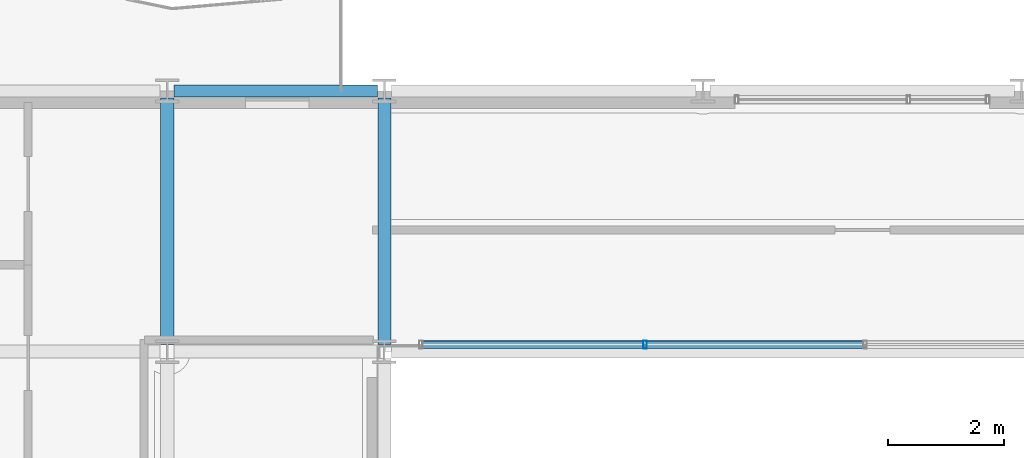
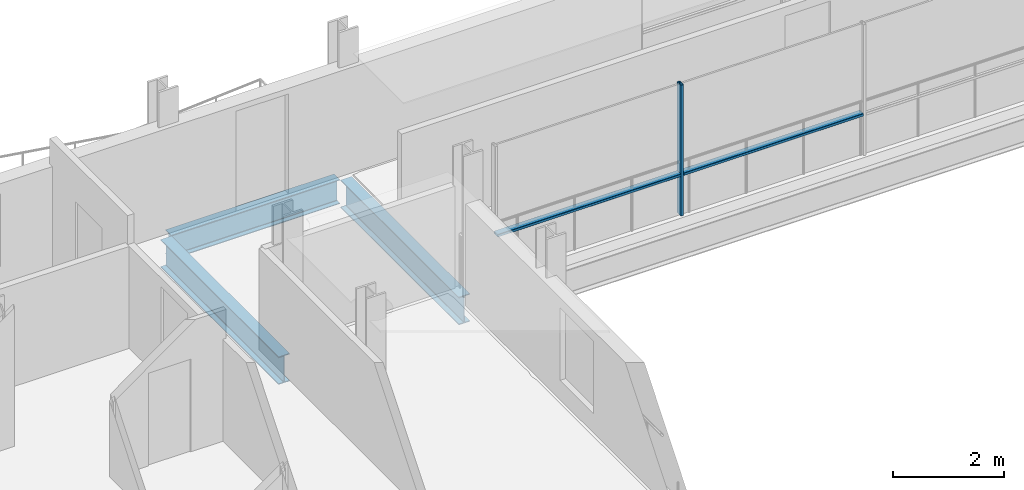
# One storey, part 11 of 38: 3 beams, 3 members, 1 element without a shape of its own.
"""IFC4 building model written with IfcOpenShell, lengths in metres."""

import ifcopenshell
import ifcopenshell.guid

model = None  # the IFC model being written
_history = None  # IfcOwnerHistory: only IFC2X3 demands one
_inside = {}  # id of a spatial element -> (the spatial element, [elements in it])
_under = {}  # id of a project, library or spatial element -> (it, [spatial elements below it])
_declared = {}  # id of a project -> (the project, [libraries it declares])
_typed = {}  # id of a type object -> (the type object, [elements of that type])
_made_of = {}  # id of a material, layer set ... -> (it, [elements and type objects made of it])


def new_model(schema):
    """Start an empty IFC model of exactly this schema.

    Asked for "IFC4X3", IfcOpenShell would pick the latest addendum, in which some entities
    have other attributes; the version numbers below select the first issue.
    IFC2X3 requires an IfcOwnerHistory on every rooted entity: one is made here for all.
    """
    global model, _history
    if schema == "IFC4X3":
        model = ifcopenshell.file(schema_version=(4, 3, 0, 0))
    else:
        model = ifcopenshell.file(schema=schema)
    _inside.clear()
    _under.clear()
    _declared.clear()
    _typed.clear()
    _made_of.clear()
    _history = None
    if model.schema == "IFC2X3":
        org = make("IfcOrganization", Name="unknown")
        user = make(
            "IfcPersonAndOrganization",
            ThePerson=make("IfcPerson", FamilyName="unknown"),
            TheOrganization=org,
        )
        app = make(
            "IfcApplication",
            ApplicationDeveloper=org,
            Version="unknown",
            ApplicationFullName="unknown",
            ApplicationIdentifier="unknown",
        )
        _history = make(
            "IfcOwnerHistory",
            OwningUser=user,
            OwningApplication=app,
            ChangeAction="ADDED",
            CreationDate=0,
        )
    return model


def make(cls, **values):
    """One entity of the class cls with the attributes given. An attribute that is None is left unset."""
    return model.create_entity(
        cls, **{name: value for name, value in values.items() if value is not None}
    )


def rooted(cls, **values):
    """An entity with a GlobalId (a new one), such as an element, a storey or a relation."""
    return make(cls, GlobalId=ifcopenshell.guid.new(), OwnerHistory=_history, **values)


def si_unit(unit_type, name, prefix=None):
    """IfcSIUnit, for example si_unit("LENGTHUNIT", "METRE", prefix="MILLI")."""
    return make("IfcSIUnit", UnitType=unit_type, Prefix=prefix, Name=name)


def assignment(units):
    """IfcUnitAssignment: the units of a project."""
    return None if units is None else make("IfcUnitAssignment", Units=units)


def point(xyz):
    """IfcCartesianPoint."""
    return None if xyz is None else make("IfcCartesianPoint", Coordinates=xyz)


def direction(xyz):
    """IfcDirection."""
    return None if xyz is None else make("IfcDirection", DirectionRatios=xyz)


def frame(location, z_axis=None, x_axis=None):
    """IfcAxis2Placement3D, a coordinate frame: its origin and axes. An axis left out is left unset."""
    return make(
        "IfcAxis2Placement3D",
        Location=point(location),
        Axis=direction(z_axis),
        RefDirection=direction(x_axis),
    )


def frame_2d(location, x_axis=None):
    """IfcAxis2Placement2D, a coordinate frame in the plane: its origin and x axis."""
    return make(
        "IfcAxis2Placement2D", Location=point(location), RefDirection=direction(x_axis)
    )


def origin():
    """The frame at (0, 0, 0) with its axes left unset."""
    return frame((0.0, 0.0, 0.0))


def origin_2d():
    """The frame at (0, 0) in the plane with its x axis left unset."""
    return frame_2d((0.0, 0.0))


def place(relative_to, where):
    """IfcLocalPlacement: puts the frame where relative to a parent placement (None: the world)."""
    return make(
        "IfcLocalPlacement", PlacementRelTo=relative_to, RelativePlacement=where
    )


def context(
    kind, dimensions, precision=None, world=None, true_north=None, identifier=None
):
    """IfcGeometricRepresentationContext, for example the 3D "Model" context."""
    return make(
        "IfcGeometricRepresentationContext",
        ContextIdentifier=identifier,
        ContextType=kind,
        CoordinateSpaceDimension=dimensions,
        Precision=precision,
        WorldCoordinateSystem=world,
        TrueNorth=true_north,
    )


def subcontext(parent, identifier, kind, view, scale=None):
    """IfcGeometricRepresentationSubContext, for example "Body" below "Model"."""
    return make(
        "IfcGeometricRepresentationSubContext",
        ContextIdentifier=identifier,
        ContextType=kind,
        ParentContext=parent,
        TargetScale=scale,
        TargetView=view,
    )


def project(units=None, contexts=None):
    """IfcProject with its units and contexts."""
    return rooted(
        "IfcProject",
        Name="project",
        RepresentationContexts=contexts,
        UnitsInContext=assignment(units),
    )


def spatial(cls, under=None, at=None, **own):
    """A site, building, storey or space (cls), placed at a placement, below another one or the project."""
    s = rooted(cls, ObjectPlacement=at, **own)
    if under is not None:
        _under.setdefault(under.id(), (under, []))[1].append(s)
    return s


def profile(cls, at=None, kind="AREA", **sizes):
    """A parametric profile (cls). Its sizes go by their IFC names, for example OverallWidth=200.0."""
    return make(cls, ProfileType=kind, Position=at, **sizes)


def hollow_rectangle(**sizes):
    """IfcRectangleHollowProfileDef."""
    return profile("IfcRectangleHollowProfileDef", **sizes)


def i_section(**sizes):
    """IfcIShapeProfileDef."""
    return profile("IfcIShapeProfileDef", **sizes)


def extrude(swept, where, along, depth):
    """IfcExtrudedAreaSolid: the profile swept, set in the frame where, extruded along a direction by depth."""
    return make(
        "IfcExtrudedAreaSolid",
        SweptArea=swept,
        Position=where,
        ExtrudedDirection=direction(along),
        Depth=depth,
    )


def shape(context_of_items, identifier, shape_type, items):
    """IfcShapeRepresentation: the items that make up one representation, for example the "Body"."""
    return make(
        "IfcShapeRepresentation",
        ContextOfItems=context_of_items,
        RepresentationIdentifier=identifier,
        RepresentationType=shape_type,
        Items=items,
    )


def material(Name=None, Category=None):
    """IfcMaterial."""
    return make("IfcMaterial", Name=Name, Category=Category)


def layer(
    of_material, thickness, ventilated=None, Name=None, Category=None, Priority=None
):
    """IfcMaterialLayer: one layer of a wall or slab, of a material (None: an air gap)."""
    return make(
        "IfcMaterialLayer",
        Material=of_material,
        LayerThickness=thickness,
        IsVentilated=ventilated,
        Name=Name,
        Category=Category,
        Priority=Priority,
    )


def layer_set(layers, Name=None):
    """IfcMaterialLayerSet."""
    return make("IfcMaterialLayerSet", MaterialLayers=layers, LayerSetName=Name)


def material_profile(
    of_material, cross_section, Name=None, Category=None, Priority=None
):
    """IfcMaterialProfile: a cross section and its material."""
    return make(
        "IfcMaterialProfile",
        Name=Name,
        Material=of_material,
        Profile=cross_section,
        Priority=Priority,
        Category=Category,
    )


def profile_set(profiles, Name=None, composite=None):
    """IfcMaterialProfileSet."""
    return make(
        "IfcMaterialProfileSet",
        Name=Name,
        MaterialProfiles=profiles,
        CompositeProfile=composite,
    )


def made_of(thing, what):
    """Note that an element or type object is made of a material, layer set ...; save() writes the relation."""
    if what is not None:
        _made_of.setdefault(what.id(), (what, []))[1].append(thing)
    return thing


def type_object(cls, material=None, **own):
    """A type object (cls), such as IfcWallType, which elements share."""
    return made_of(rooted(cls, **own), material)


def element(
    cls,
    number,
    at=None,
    inside=None,
    cuts=None,
    type_object=None,
    material=None,
    context=None,
    identifier="Body",
    shape_type=None,
    held_by="IfcProductDefinitionShape",
    body=None,
    shapes=None,
    **own,
):
    """One element of the class cls, such as IfcWall. Its Tag is "e" and its number.

    at: its placement. inside: the storey or other place that contains it. cuts: it is an
    opening in that element (IfcRelVoidsElement). A single representation is given by context,
    identifier, shape_type and body (its items); several are given by shapes. held_by: the class
    of the entity that holds the representations. save() writes the other relations.
    """
    e = rooted(cls, Tag="e%d" % number, ObjectPlacement=at, **own)
    if body is not None:
        shapes = [shape(context, identifier, shape_type, body)]
    if shapes is not None:
        e.Representation = make(held_by, Representations=shapes)
    if inside is not None:
        _inside.setdefault(inside.id(), (inside, []))[1].append(e)
    if cuts is not None:
        rooted(
            "IfcRelVoidsElement", RelatingBuildingElement=cuts, RelatedOpeningElement=e
        )
    if type_object is not None:
        _typed.setdefault(type_object.id(), (type_object, []))[1].append(e)
    return made_of(e, material)


def aggregate(whole, parts):
    """IfcRelAggregates: a whole, such as a stair, and the parts it consists of."""
    return rooted("IfcRelAggregates", RelatingObject=whole, RelatedObjects=parts)


def save(model, path):
    """Write the relations noted so far, then the file.

    IfcRelAggregates (storeys below a building ...), IfcRelContainedInSpatialStructure (elements
    in a storey), IfcRelDefinesByType, IfcRelAssociatesMaterial and IfcRelDeclares: one each for
    every whole, place, type object, material and project.
    """
    for whole, parts in _under.values():
        aggregate(whole, parts)
    for where, things in _inside.values():
        rooted(
            "IfcRelContainedInSpatialStructure",
            RelatedElements=things,
            RelatingStructure=where,
        )
    for kind, things in _typed.values():
        rooted("IfcRelDefinesByType", RelatedObjects=things, RelatingType=kind)
    for what, things in _made_of.values():
        rooted("IfcRelAssociatesMaterial", RelatedObjects=things, RelatingMaterial=what)
    for by, libraries in _declared.values():
        rooted("IfcRelDeclares", RelatingContext=by, RelatedDefinitions=libraries)
    model.write(path)


model = new_model("IFC4")

# Units and contexts
model_context = context("Model", 3, precision=1e-05, world=origin(), true_north=direction((0.0, 1.0)))
body_context = subcontext(model_context, "Body", "Model", "MODEL_VIEW")
ifc_project = project(units=[si_unit("LENGTHUNIT", "METRE"), si_unit("AREAUNIT", "SQUARE_METRE"), si_unit("VOLUMEUNIT", "CUBIC_METRE"), si_unit("PLANEANGLEUNIT", "RADIAN"), si_unit("MASSUNIT", "GRAM", prefix="KILO")], contexts=[model_context])

# Site, building, storey
site_placement = place(None, origin())
site = spatial("IfcSite", under=ifc_project, at=site_placement, CompositionType="ELEMENT")
building_placement = place(site_placement, origin())
building = spatial("IfcBuilding", under=site, at=building_placement, Name="Brevholm Reach", CompositionType="ELEMENT")
storey_placement = place(building_placement, frame((0.0, 0.0, 141.800048828125)))
storey = spatial("IfcBuildingStorey", under=building, at=storey_placement, Name="L42", CompositionType="ELEMENT", Elevation=141.800048828125)

# Beams
ifc_material_1 = material(Name="Structural Steel S355J2", Category="steel")
ifc_material_profile_1 = material_profile(ifc_material_1, i_section(OverallWidth=0.209228515625, OverallDepth=0.533203125, WebThickness=0.010009765625, FlangeThickness=0.015625, FilletRadius=0.0126953125, at=origin_2d()), Name="UKB 533x210x92")
ifc_profile_set_1 = profile_set([ifc_material_profile_1], Name="Structural Steel S355J2")
beam_type_1 = type_object("IfcBeamType", Name="BM-SP533", PredefinedType="SPANDREL", material=ifc_profile_set_1)
beam_placement = place(storey_placement, frame((18.1201171875, 31.0, -0.486572265625), z_axis=(1.0, 0.0, 0.0), x_axis=(0.0, 1.0, 0.0)))
element("IfcBeam", 1, at=beam_placement, inside=storey, type_object=beam_type_1, Name="L42 SP-02 Framing Beam", PredefinedType="SPANDREL", context=body_context, shape_type="SweptSolid", body=[
    extrude(i_section(OverallWidth=0.209228515625, OverallDepth=0.533203125, WebThickness=0.010009765625, FlangeThickness=0.015625, FilletRadius=0.0126953125, at=origin_2d()), origin(), (0.0, 0.0, 1.0), 3.509765625),
])
ifc_material_2 = material(Name="Structural Steel S355J2", Category="steel")
ifc_material_profile_2 = material_profile(ifc_material_2, i_section(OverallWidth=0.22900390625, OverallDepth=0.6123046875, WebThickness=0.011962890625, FlangeThickness=0.01953125, FilletRadius=0.0126953125, at=origin_2d()), Name="UKB 610x229x125")
ifc_profile_set_2 = profile_set([ifc_material_profile_2], Name="Structural Steel S355J2")
beam_type_2 = type_object("IfcBeamType", Name="BM-SP610", PredefinedType="SPANDREL", material=ifc_profile_set_2)
for number, where, z_axis, x_axis, name in (
    (2, (18.0, 26.6201171875, -0.526123046875), (0.0, 1.0, 0.0), (-1.0, 0.0, 0.0), "L42 SP-01 Framing Beam"),
    (3, (21.75, 26.6201171875, -0.526123046875), (0.0, 1.0, 0.0), (-1.0, 0.0, 0.0), "L42 SP-01 Framing Beam"),
):
    element("IfcBeam", number, at=place(storey_placement, frame(where, z_axis=z_axis, x_axis=x_axis)), inside=storey, type_object=beam_type_2, Name=name, PredefinedType="SPANDREL", context=body_context, shape_type="SweptSolid", body=[
        extrude(i_section(OverallWidth=0.22900390625, OverallDepth=0.6123046875, WebThickness=0.011962890625, FlangeThickness=0.01953125, FilletRadius=0.0126953125, at=origin_2d()), origin(), (0.0, 0.0, 1.0), 4.259765625),
    ])

# Curtain wall, members
ifc_material_3 = material(Name="Dark Anodised Aluminium 6063-T6 and Solar-Control Glass", Category="aluminium")
ifc_layer = layer(ifc_material_3, 0.139892578125)
ifc_layer_set = layer_set([ifc_layer], Name="Dark Anodised Aluminium 6063-T6 and Solar-Control Glass")
curtain_wall_type = type_object("IfcCurtainWallType", Name="CW-02", PredefinedType="NOTDEFINED", material=ifc_layer_set)
curtain_wall_placement = place(storey_placement, origin())
curtain_wall = element("IfcCurtainWall", 4, at=curtain_wall_placement, inside=storey, type_object=curtain_wall_type, Name="L42 Curtain Wall CW-02", PredefinedType="NOTDEFINED")
ifc_material_4 = material(Name="Dark Anodised Aluminium 6063-T6", Category="aluminium")
ifc_material_profile_3 = material_profile(ifc_material_4, hollow_rectangle(XDim=0.06005859375, YDim=0.139892578125, WallThickness=0.0048828125, InnerFilletRadius=0.0048828125, OuterFilletRadius=0.010009765625, at=origin_2d()), Name="RHS 140x60x5")
ifc_profile_set_3 = profile_set([ifc_material_profile_3], Name="Dark Anodised Aluminium 6063-T6")
member_type_1 = type_object("IfcMemberType", Name="CWM-140", PredefinedType="MULLION", material=ifc_profile_set_3)
member_1_placement = place(storey_placement, frame((26.25, 26.6201171875, 0.0), z_axis=(0.0, 0.0, 1.0), x_axis=(-1.0, 0.0, 0.0)))
member_1 = element("IfcMember", 5, at=member_1_placement, type_object=member_type_1, Name="CM-140 Mullion 4", PredefinedType="MULLION", context=body_context, shape_type="SweptSolid", body=[
    extrude(hollow_rectangle(XDim=0.06005859375, YDim=0.139892578125, WallThickness=0.0048828125, InnerFilletRadius=0.0048828125, OuterFilletRadius=0.010009765625, at=origin_2d()), origin(), (0.0, 0.0, 1.0), 2.8798828125),
])
ifc_material_5 = material(Name="Dark Anodised Aluminium 6063-T6", Category="aluminium")
ifc_material_profile_4 = material_profile(ifc_material_5, hollow_rectangle(XDim=0.06005859375, YDim=0.139892578125, WallThickness=0.0048828125, InnerFilletRadius=0.0048828125, OuterFilletRadius=0.010009765625, at=origin_2d()), Name="RHS 140x60x5")
ifc_profile_set_4 = profile_set([ifc_material_profile_4], Name="Dark Anodised Aluminium 6063-T6")
member_type_2 = type_object("IfcMemberType", Name="CWT-140", PredefinedType="NOTDEFINED", material=ifc_profile_set_4)
member_2_placement = place(storey_placement, frame((30.02001953125, 26.6201171875, 0.89990234375), z_axis=(-1.0, 0.0, 0.0), x_axis=(0.0, 0.0, 1.0)))
member_2 = element("IfcMember", 6, at=member_2_placement, type_object=member_type_2, Name="CT-140 Transom 3.1", ObjectType="TRANSOM", PredefinedType="USERDEFINED", context=body_context, shape_type="SweptSolid", body=[
    extrude(hollow_rectangle(XDim=0.06005859375, YDim=0.139892578125, WallThickness=0.0048828125, InnerFilletRadius=0.0048828125, OuterFilletRadius=0.010009765625, at=origin_2d()), origin(), (0.0, 0.0, 1.0), 3.739990234375),
])
member_3_placement = place(storey_placement, frame((26.219970703125, 26.6201171875, 0.89990234375), z_axis=(-1.0, 0.0, 0.0), x_axis=(0.0, 0.0, 1.0)))
member_3 = element("IfcMember", 7, at=member_3_placement, type_object=member_type_2, Name="CT-140 Transom 4.1", ObjectType="TRANSOM", PredefinedType="USERDEFINED", context=body_context, shape_type="SweptSolid", body=[
    extrude(hollow_rectangle(XDim=0.06005859375, YDim=0.139892578125, WallThickness=0.0048828125, InnerFilletRadius=0.0048828125, OuterFilletRadius=0.010009765625, at=origin_2d()), origin(), (0.0, 0.0, 1.0), 3.81005859375),
])
aggregate(curtain_wall, [member_1, member_2, member_3])

save(model, "model.ifc")
